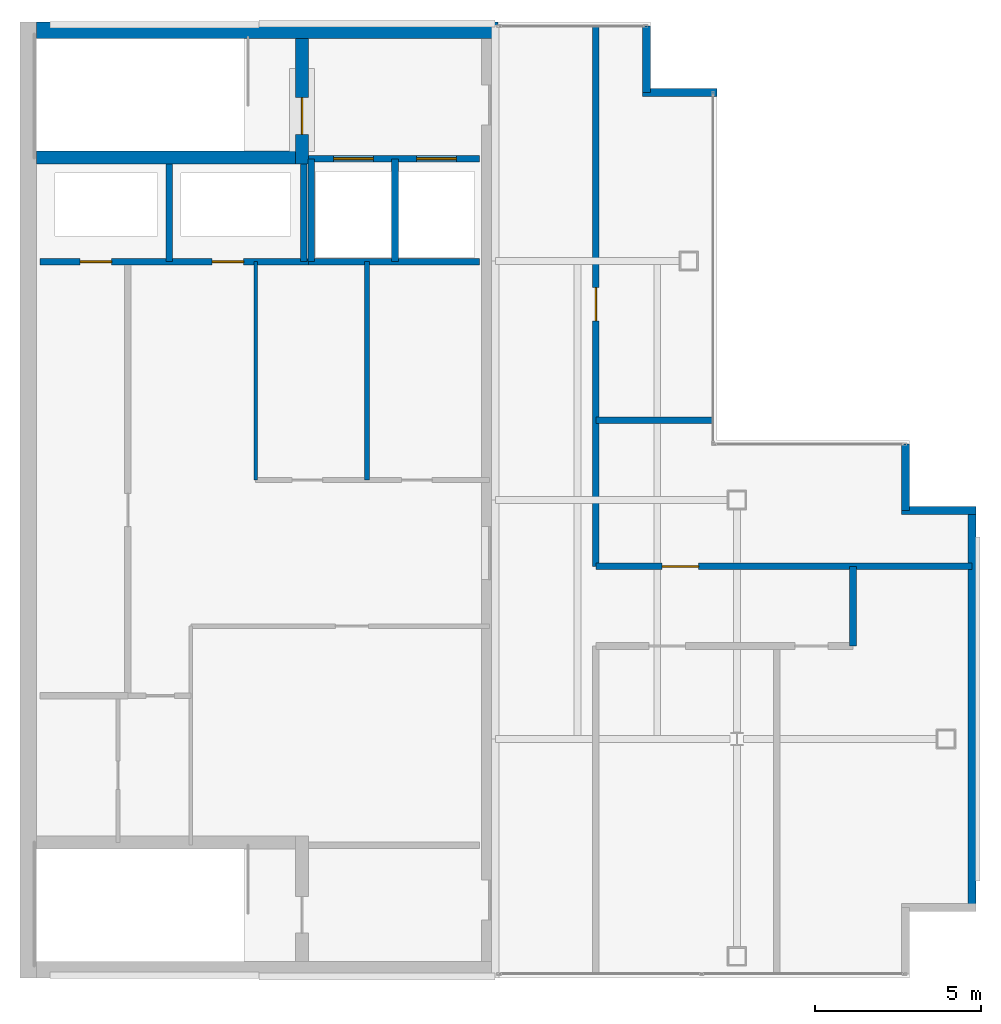
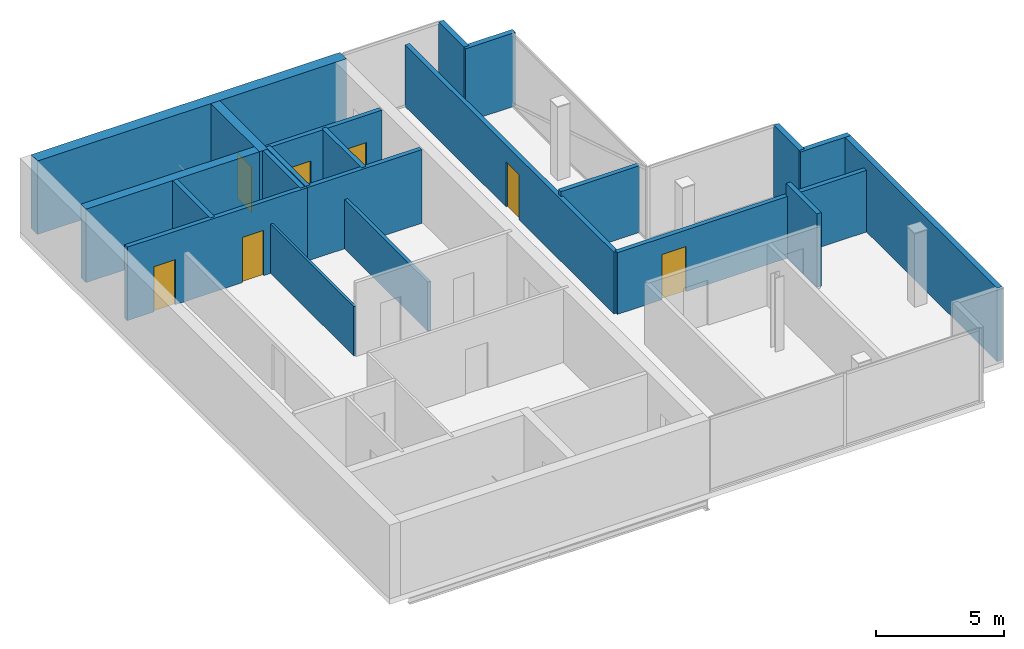
# One storey, part 14 of 15: 21 walls, 7 doors, 7 openings.
"""IFC4 building model written with IfcOpenShell, lengths in metres."""

from ifc_helpers import new_model, si_unit, direction, frame, frame_2d, origin, place, context, subcontext, project, spatial, rectangle, extrude, material, layer, layer_set, type_object, element, fill, save


model = new_model("IFC4")

# Units and contexts
model_context = context("Model", 3, precision=1e-05, world=origin(), true_north=direction((0.0, 1.0)))
body_context = subcontext(model_context, "Body", "Model", "MODEL_VIEW")
ifc_project = project(units=[si_unit("LENGTHUNIT", "METRE"), si_unit("AREAUNIT", "SQUARE_METRE"), si_unit("VOLUMEUNIT", "CUBIC_METRE"), si_unit("PLANEANGLEUNIT", "RADIAN"), si_unit("MASSUNIT", "GRAM", prefix="KILO")], contexts=[model_context])

# Site, building, storey
site_placement = place(None, origin())
site = spatial("IfcSite", under=ifc_project, at=site_placement, CompositionType="ELEMENT")
building_placement = place(site_placement, origin())
building = spatial("IfcBuilding", under=site, at=building_placement, Name="Cobrela Telecom Tower", CompositionType="ELEMENT")
storey_placement = place(building_placement, frame((0.0, 0.0, 301.35009765625)))
storey = spatial("IfcBuildingStorey", under=building, at=storey_placement, Name="L79", CompositionType="ELEMENT", Elevation=301.35009765625)

# Walls
ifc_material_1 = material(Name="Concrete C40/50", Category="concrete")
ifc_layer_1 = layer(ifc_material_1, 0.5)
ifc_layer_set_1 = layer_set([ifc_layer_1], Name="Concrete C40/50")
wall_type_1 = type_object("IfcWallType", Name="WALL-CORE-C40-500", PredefinedType="SHEAR", material=ifc_layer_set_1)
wall_1_placement = place(storey_placement, frame((0.5, 35.75, 0.0), z_axis=(0.0, 0.0, 1.0), x_axis=(1.0, 0.0, 0.0)))
element("IfcWall", 1, at=wall_1_placement, inside=storey, type_object=wall_type_1, Name="L79 North Core Shear Wall", PredefinedType="SHEAR", context=body_context, shape_type="SweptSolid", body=[
    extrude(rectangle(XDim=13.89990234375, YDim=0.5, at=frame_2d((6.949951171875, 0.0))), origin(), (0.0, 0.0, 1.0), 3.5),
])
ifc_layer_2 = layer(ifc_material_1, 0.239990234375)
ifc_layer_set_2 = layer_set([ifc_layer_2], Name="Concrete C40/50")
wall_type_2 = type_object("IfcWallType", Name="WALL-EXT-300", PredefinedType="STANDARD", material=ifc_layer_set_2)
wall_2_placement = place(storey_placement, frame((18.8798828125, 35.8798828125, 0.0), z_axis=(0.0, 0.0, 1.0), x_axis=(0.0, -1.0, 0.0)))
element("IfcWall", 2, at=wall_2_placement, inside=storey, type_object=wall_type_2, Name="L79 Insulated Facade Wall 02", PredefinedType="STANDARD", context=body_context, shape_type="SweptSolid", body=[
    extrude(rectangle(XDim=2.0, YDim=0.239990234375, at=frame_2d((1.0, 0.0))), origin(), (0.0, 0.0, 1.0), 3.5),
])
wall_3_placement = place(storey_placement, frame((18.760009765625, 33.8798828125, 0.0), z_axis=(0.0, 0.0, 1.0), x_axis=(1.0, 0.0, 0.0)))
element("IfcWall", 3, at=wall_3_placement, inside=storey, type_object=wall_type_2, Name="L79 Insulated Facade Wall 03", PredefinedType="STANDARD", context=body_context, shape_type="SweptSolid", body=[
    extrude(rectangle(XDim=2.239990234375, YDim=0.239990234375, at=frame_2d((1.1201171875, 0.0))), origin(), (0.0, 0.0, 1.0), 3.5),
])
wall_4_placement = place(storey_placement, frame((26.679931640625, 23.280029296875, 0.0), z_axis=(0.0, 0.0, 1.0), x_axis=(0.0, -1.0, 0.0)))
element("IfcWall", 4, at=wall_4_placement, inside=storey, type_object=wall_type_2, Name="L79 Insulated Facade Wall 06", PredefinedType="STANDARD", context=body_context, shape_type="SweptSolid", body=[
    extrude(rectangle(XDim=2.0, YDim=0.239990234375, at=frame_2d((1.0, 0.0))), origin(), (0.0, 0.0, 1.0), 3.5),
])
wall_5_placement = place(storey_placement, frame((26.56005859375, 21.280029296875, 0.0), z_axis=(0.0, 0.0, 1.0), x_axis=(1.0, 0.0, 0.0)))
element("IfcWall", 5, at=wall_5_placement, inside=storey, type_object=wall_type_2, Name="L79 Insulated Facade Wall 07", PredefinedType="STANDARD", context=body_context, shape_type="SweptSolid", body=[
    extrude(rectangle(XDim=2.239990234375, YDim=0.239990234375, at=frame_2d((1.1201171875, 0.0))), origin(), (0.0, 0.0, 1.0), 3.5),
])
wall_6_placement = place(storey_placement, frame((28.679931640625, 21.280029296875, 0.0), z_axis=(0.0, 0.0, 1.0), x_axis=(0.0, -1.0, 0.0)))
element("IfcWall", 6, at=wall_6_placement, inside=storey, type_object=wall_type_2, Name="L79 Insulated Facade Wall 08", PredefinedType="STANDARD", context=body_context, shape_type="SweptSolid", body=[
    extrude(rectangle(XDim=11.9599609375, YDim=0.239990234375, at=frame_2d((5.97998046875, 0.0))), origin(), (0.0, 0.0, 1.0), 3.5),
])
ifc_material_2 = material(Name="Fire-Rated Gypsum Plasterboard")
ifc_layer_3 = layer(ifc_material_2, 0.110107421875)
ifc_layer_set_3 = layer_set([ifc_layer_3], Name="Fire-Rated Gypsum Plasterboard")
wall_type_3 = type_object("IfcWallType", Name="WALL-PART-110", PredefinedType="PARTITIONING", material=ifc_layer_set_3)
wall_7_placement = place(storey_placement, frame((7.10009765625, 22.199951171875, 0.0), z_axis=(0.0, 0.0, 1.0), x_axis=(0.0, 1.0, 0.0)))
element("IfcWall", 7, at=wall_7_placement, inside=storey, type_object=wall_type_3, Name="L79 Interior Partition CW-RECL-W", PredefinedType="PARTITIONING", context=body_context, shape_type="SweptSolid", body=[
    extrude(rectangle(XDim=6.580078125, YDim=0.110107421875, at=frame_2d((3.2900390625, 0.0))), origin(), (0.0, 0.0, 1.0), 2.346923828125),
])
ifc_layer_4 = layer(ifc_material_2, 0.14990234375)
ifc_layer_set_4 = layer_set([ifc_layer_4], Name="Fire-Rated Gypsum Plasterboard")
wall_type_4 = type_object("IfcWallType", Name="WALL-PART-150", PredefinedType="PARTITIONING", material=ifc_layer_set_4)
wall_8_placement = place(storey_placement, frame((10.449951171875, 22.199951171875, 0.0), z_axis=(0.0, 0.0, 1.0), x_axis=(0.0, 1.0, 0.0)))
element("IfcWall", 8, at=wall_8_placement, inside=storey, type_object=wall_type_4, Name="L79 Interior Partition CW-RECL-V", PredefinedType="PARTITIONING", context=body_context, shape_type="SweptSolid", body=[
    extrude(rectangle(XDim=6.580078125, YDim=0.14990234375, at=frame_2d((3.2900390625, 0.0))), origin(), (0.0, 0.0, 1.0), 2.346923828125),
])

# Wall, openings, doors
ifc_layer_5 = layer(ifc_material_2, 0.199951171875)
ifc_layer_set_5 = layer_set([ifc_layer_5], Name="Fire-Rated Gypsum Plasterboard")
wall_type_5 = type_object("IfcWallType", Name="WALL-SHAFT-200", PredefinedType="PARTITIONING", material=ifc_layer_set_5)
wall_9_placement = place(storey_placement, frame((8.699951171875, 31.8798828125, 0.0), z_axis=(0.0, 0.0, 1.0), x_axis=(1.0, 0.0, 0.0)))
wall_9 = element("IfcWall", 9, at=wall_9_placement, inside=storey, type_object=wall_type_5, Name="L79 Shaft Enclosure CW-FFL-S", PredefinedType="PARTITIONING", context=body_context, shape_type="SweptSolid", body=[
    extrude(rectangle(XDim=5.150146484375, YDim=0.199951171875, at=frame_2d((2.5751953125, 0.0))), origin(), (0.0, 0.0, 1.0), 3.5),
])
opening_1_placement = place(wall_9_placement, frame((0.75, 0.0, 0.0)))
opening_1 = element("IfcOpeningElement", 10, at=opening_1_placement, cuts=wall_9, Name="Opening LD-2", PredefinedType="OPENING", context=body_context, shape_type="SweptSolid", body=[
    extrude(rectangle(XDim=1.199951171875, YDim=2.199951171875, at=frame_2d((0.60009765625, 1.10009765625))), frame((0.0, 0.11181640625, 0.0), z_axis=(0.0, -1.0, 0.0), x_axis=(1.0, 0.0, 0.0)), (0.0, 0.0, 1.0), 0.223876953125),
])
opening_2_placement = place(wall_9_placement, frame((3.25, 0.0, 0.0)))
opening_2 = element("IfcOpeningElement", 11, at=opening_2_placement, cuts=wall_9, Name="Opening LD-2", PredefinedType="OPENING", context=body_context, shape_type="SweptSolid", body=[
    extrude(rectangle(XDim=1.199951171875, YDim=2.199951171875, at=frame_2d((0.60009765625, 1.10009765625))), frame((0.0, 0.11181640625, 0.0), z_axis=(0.0, -1.0, 0.0), x_axis=(1.0, 0.0, 0.0)), (0.0, 0.0, 1.0), 0.223876953125),
])
ifc_material_3 = material(Name="Steel ASTM A36", Category="steel")
door_type_1 = type_object("IfcDoorType", Name="DOOR-LD-FFL", OperationType="SINGLE_SWING_LEFT", PredefinedType="DOOR", material=ifc_material_3)
door_1_placement = place(opening_1_placement, origin())
door_1 = element("IfcDoor", 12, at=door_1_placement, inside=storey, type_object=door_type_1, Name="L79 Lift Landing Door LD-2", OperationType="DOUBLE_DOOR_SLIDING", OverallHeight=2.199951171875, OverallWidth=1.199951171875, PredefinedType="DOOR", context=body_context, shape_type="SweptSolid", body=[
    extrude(rectangle(XDim=1.199951171875, YDim=2.199951171875, at=frame_2d((0.60009765625, 1.10009765625))), frame((0.0, 0.02490234375, 0.0), z_axis=(0.0, -1.0, 0.0), x_axis=(1.0, 0.0, 0.0)), (0.0, 0.0, 1.0), 0.050048828125),
])
fill(opening_1, door_1)
door_2_placement = place(opening_2_placement, origin())
door_2 = element("IfcDoor", 13, at=door_2_placement, inside=storey, type_object=door_type_1, Name="L79 Lift Landing Door LD-2", OperationType="DOUBLE_DOOR_SLIDING", OverallHeight=2.199951171875, OverallWidth=1.199951171875, PredefinedType="DOOR", context=body_context, shape_type="SweptSolid", body=[
    extrude(rectangle(XDim=1.199951171875, YDim=2.199951171875, at=frame_2d((0.60009765625, 1.10009765625))), frame((0.0, 0.02490234375, 0.0), z_axis=(0.0, -1.0, 0.0), x_axis=(1.0, 0.0, 0.0)), (0.0, 0.0, 1.0), 0.050048828125),
])
fill(opening_2, door_2)

# Walls
wall_10_placement = place(storey_placement, frame((8.699951171875, 28.780029296875, 0.0), z_axis=(0.0, 0.0, 1.0), x_axis=(1.0, 0.0, 0.0)))
element("IfcWall", 14, at=wall_10_placement, inside=storey, type_object=wall_type_5, Name="L79 Shaft Enclosure CW-FFL-S2", PredefinedType="PARTITIONING", context=body_context, shape_type="SweptSolid", body=[
    extrude(rectangle(XDim=5.150146484375, YDim=0.199951171875, at=frame_2d((2.5751953125, 0.0))), origin(), (0.0, 0.0, 1.0), 3.5),
])
for number, where, z_axis, x_axis, name in (
    (15, (8.780029296875, 28.780029296875, 0.0), (0.0, 0.0, 1.0), (0.0, 1.0, 0.0), "L79 Shaft Enclosure CW-FFL-W"),
    (16, (11.300048828125, 28.780029296875, 0.0), (0.0, 0.0, 1.0), (0.0, 1.0, 0.0), "L79 Shaft Enclosure CW-FFL-M"),
):
    element("IfcWall", number, at=place(storey_placement, frame(where, z_axis=z_axis, x_axis=x_axis)), inside=storey, type_object=wall_type_5, Name=name, PredefinedType="PARTITIONING", context=body_context, shape_type="SweptSolid", body=[
        extrude(rectangle(XDim=3.099853515625, YDim=0.199951171875, at=frame_2d((1.5498046875, 0.0))), origin(), (0.0, 0.0, 1.0), 3.5),
    ])

# Wall, openings, doors
wall_11_placement = place(storey_placement, frame((0.60009765625, 28.780029296875, 0.0), z_axis=(0.0, 0.0, 1.0), x_axis=(1.0, 0.0, 0.0)))
wall_11 = element("IfcWall", 17, at=wall_11_placement, inside=storey, type_object=wall_type_5, Name="L79 Shaft Enclosure CW-RIS-S", PredefinedType="PARTITIONING", context=body_context, shape_type="SweptSolid", body=[
    extrude(rectangle(XDim=8.179931640625, YDim=0.199951171875, at=frame_2d((4.08984375, 0.0))), origin(), (0.0, 0.0, 1.0), 3.5),
])
opening_3_placement = place(wall_11_placement, frame((1.2099609375, 0.0, 0.0)))
opening_3 = element("IfcOpeningElement", 18, at=opening_3_placement, cuts=wall_11, Name="Opening DR-65", PredefinedType="OPENING", context=body_context, shape_type="SweptSolid", body=[
    extrude(rectangle(XDim=0.949951171875, YDim=2.14990234375, at=frame_2d((0.47509765625, 1.074951171875))), frame((0.0, 0.11181640625, 0.0), z_axis=(0.0, -1.0, 0.0), x_axis=(1.0, 0.0, 0.0)), (0.0, 0.0, 1.0), 0.223876953125),
])
opening_4_placement = place(wall_11_placement, frame((5.18994140625, 0.0, 0.0)))
opening_4 = element("IfcOpeningElement", 19, at=opening_4_placement, cuts=wall_11, Name="Opening DR-65", PredefinedType="OPENING", context=body_context, shape_type="SweptSolid", body=[
    extrude(rectangle(XDim=0.949951171875, YDim=2.14990234375, at=frame_2d((0.47509765625, 1.074951171875))), frame((0.0, 0.11181640625, 0.0), z_axis=(0.0, -1.0, 0.0), x_axis=(1.0, 0.0, 0.0)), (0.0, 0.0, 1.0), 0.223876953125),
])
door_type_2 = type_object("IfcDoorType", Name="DOOR-FD60-950", OperationType="SINGLE_SWING_LEFT", PredefinedType="DOOR", material=ifc_material_3)
door_3_placement = place(opening_3_placement, origin())
door_3 = element("IfcDoor", 20, at=door_3_placement, inside=storey, type_object=door_type_2, Name="L79 Door DR-65", OperationType="SINGLE_SWING_LEFT", OverallHeight=2.14990234375, OverallWidth=0.949951171875, PredefinedType="DOOR", context=body_context, shape_type="SweptSolid", body=[
    extrude(rectangle(XDim=0.949951171875, YDim=2.14990234375, at=frame_2d((0.47509765625, 1.074951171875))), frame((0.0, 0.02490234375, 0.0), z_axis=(0.0, -1.0, 0.0), x_axis=(1.0, 0.0, 0.0)), (0.0, 0.0, 1.0), 0.050048828125),
])
fill(opening_3, door_3)
door_4_placement = place(opening_4_placement, origin())
door_4 = element("IfcDoor", 21, at=door_4_placement, inside=storey, type_object=door_type_2, Name="L79 Door DR-65", OperationType="SINGLE_SWING_RIGHT", OverallHeight=2.14990234375, OverallWidth=0.949951171875, PredefinedType="DOOR", context=body_context, shape_type="SweptSolid", body=[
    extrude(rectangle(XDim=0.949951171875, YDim=2.14990234375, at=frame_2d((0.47509765625, 1.074951171875))), frame((0.0, 0.02490234375, 0.0), z_axis=(0.0, -1.0, 0.0), x_axis=(1.0, 0.0, 0.0)), (0.0, 0.0, 1.0), 0.050048828125),
])
fill(opening_4, door_4)

# Walls
for number, where, z_axis, x_axis, name in (
    (22, (4.5, 28.780029296875, 0.0), (0.0, 0.0, 1.0), (0.0, 1.0, 0.0), "L79 Shaft Enclosure CW-RIS-M"),
    (23, (8.550048828125, 28.780029296875, 0.0), (0.0, 0.0, 1.0), (0.0, 1.0, 0.0), "L79 Shaft Enclosure CW-RIS-E"),
):
    element("IfcWall", number, at=place(storey_placement, frame(where, z_axis=z_axis, x_axis=x_axis)), inside=storey, type_object=wall_type_5, Name=name, PredefinedType="PARTITIONING", context=body_context, shape_type="SweptSolid", body=[
        extrude(rectangle(XDim=2.93994140625, YDim=0.199951171875, at=frame_2d((1.469970703125, 0.0))), origin(), (0.0, 0.0, 1.0), 3.5),
    ])

# Wall, opening, door
wall_12_placement = place(storey_placement, frame((17.35009765625, 19.60009765625, 0.0), z_axis=(0.0, 0.0, 1.0), x_axis=(0.0, 1.0, 0.0)))
wall_12 = element("IfcWall", 24, at=wall_12_placement, inside=storey, type_object=wall_type_5, Name="L79 Shaft Enclosure W-DR-E2", PredefinedType="PARTITIONING", context=body_context, shape_type="SweptSolid", body=[
    extrude(rectangle(XDim=16.27978515625, YDim=0.199951171875, at=frame_2d((8.139892578125, 0.0))), origin(), (0.0, 0.0, 1.0), 2.935791015625),
])
opening_5_placement = place(wall_12_placement, frame((7.39990234375, 0.0, 0.0)))
opening_5 = element("IfcOpeningElement", 25, at=opening_5_placement, cuts=wall_12, Name="Opening DR-15", PredefinedType="OPENING", context=body_context, shape_type="SweptSolid", body=[
    extrude(rectangle(XDim=1.0, YDim=2.14990234375, at=frame_2d((0.5, 1.074951171875))), frame((0.0, 0.11181640625, 0.0), z_axis=(0.0, -1.0, 0.0), x_axis=(1.0, 0.0, 0.0)), (0.0, 0.0, 1.0), 0.223876953125),
])
door_type_3 = type_object("IfcDoorType", Name="DOOR-FD60-1000", OperationType="SINGLE_SWING_LEFT", PredefinedType="DOOR", material=ifc_material_3)
door_5_placement = place(opening_5_placement, origin())
door_5 = element("IfcDoor", 26, at=door_5_placement, inside=storey, type_object=door_type_3, Name="L79 Door DR-15", OperationType="SINGLE_SWING_RIGHT", OverallHeight=2.14990234375, OverallWidth=1.0, PredefinedType="DOOR", context=body_context, shape_type="SweptSolid", body=[
    extrude(rectangle(XDim=1.0, YDim=2.14990234375, at=frame_2d((0.5, 1.074951171875))), frame((0.0, 0.02490234375, 0.0), z_axis=(0.0, -1.0, 0.0), x_axis=(1.0, 0.0, 0.0)), (0.0, 0.0, 1.0), 0.050048828125),
])
fill(opening_5, door_5)

wall_13_placement = place(storey_placement, frame((17.35009765625, 19.60009765625, 0.0), z_axis=(0.0, 0.0, 1.0), x_axis=(1.0, 0.0, 0.0)))
wall_13 = element("IfcWall", 27, at=wall_13_placement, inside=storey, type_object=wall_type_5, Name="L79 Shaft Enclosure W-DR-HN", PredefinedType="PARTITIONING", context=body_context, shape_type="SweptSolid", body=[
    extrude(rectangle(XDim=11.329833984375, YDim=0.199951171875, at=frame_2d((5.6650390625, 0.0))), origin(), (0.0, 0.0, 1.0), 2.935791015625),
])
opening_6_placement = place(wall_13_placement, frame((2.0, 0.0, 0.0)))
opening_6 = element("IfcOpeningElement", 28, at=opening_6_placement, cuts=wall_13, Name="Opening DR-59", PredefinedType="OPENING", context=body_context, shape_type="SweptSolid", body=[
    extrude(rectangle(XDim=1.10009765625, YDim=2.14990234375, at=frame_2d((0.550048828125, 1.074951171875))), frame((0.0, 0.11181640625, 0.0), z_axis=(0.0, -1.0, 0.0), x_axis=(1.0, 0.0, 0.0)), (0.0, 0.0, 1.0), 0.223876953125),
])
door_type_4 = type_object("IfcDoorType", Name="DOOR-FD60-1100", OperationType="SINGLE_SWING_LEFT", PredefinedType="DOOR", material=ifc_material_3)
door_6_placement = place(opening_6_placement, origin())
door_6 = element("IfcDoor", 29, at=door_6_placement, inside=storey, type_object=door_type_4, Name="L79 Door DR-59", OperationType="SINGLE_SWING_LEFT", OverallHeight=2.14990234375, OverallWidth=1.10009765625, PredefinedType="DOOR", context=body_context, shape_type="SweptSolid", body=[
    extrude(rectangle(XDim=1.10009765625, YDim=2.14990234375, at=frame_2d((0.550048828125, 1.074951171875))), frame((0.0, 0.02490234375, 0.0), z_axis=(0.0, -1.0, 0.0), x_axis=(1.0, 0.0, 0.0)), (0.0, 0.0, 1.0), 0.050048828125),
])
fill(opening_6, door_6)

# Walls
wall_14_placement = place(storey_placement, frame((17.35009765625, 24.0, 0.0), z_axis=(0.0, 0.0, 1.0), x_axis=(1.0, 0.0, 0.0)))
element("IfcWall", 30, at=wall_14_placement, inside=storey, type_object=wall_type_5, Name="L79 Shaft Enclosure W-DR-NH", PredefinedType="PARTITIONING", context=body_context, shape_type="SweptSolid", body=[
    extrude(rectangle(XDim=3.52978515625, YDim=0.199951171875, at=frame_2d((1.764892578125, 0.0))), origin(), (0.0, 0.0, 1.0), 3.1748046875),
])
wall_15_placement = place(storey_placement, frame((25.10009765625, 17.199951171875, 0.0), z_axis=(0.0, 0.0, 1.0), x_axis=(0.0, 1.0, 0.0)))
element("IfcWall", 31, at=wall_15_placement, inside=storey, type_object=wall_type_5, Name="L79 Shaft Enclosure W-DR-END", PredefinedType="PARTITIONING", context=body_context, shape_type="SweptSolid", body=[
    extrude(rectangle(XDim=2.400146484375, YDim=0.199951171875, at=frame_2d((1.2001953125, 0.0))), origin(), (0.0, 0.0, 1.0), 3.5),
])
ifc_layer_6 = layer(ifc_material_1, 0.39990234375)
ifc_layer_set_6 = layer_set([ifc_layer_6], Name="Concrete C40/50")
wall_type_6 = type_object("IfcWallType", Name="WALL-SHAFT-C40-400", PredefinedType="SHEAR", material=ifc_layer_set_6)
wall_16_placement = place(storey_placement, frame((0.5, 31.919921875, 0.0), z_axis=(0.0, 0.0, 1.0), x_axis=(1.0, 0.0, 0.0)))
element("IfcWall", 32, at=wall_16_placement, inside=storey, type_object=wall_type_6, Name="L79 North Stair Shear Wall", PredefinedType="SHEAR", context=body_context, shape_type="SweptSolid", body=[
    extrude(rectangle(XDim=7.800048828125, YDim=0.39990234375, at=frame_2d((3.89990234375, 0.0))), origin(), (0.0, 0.0, 1.0), 3.5),
])

# Wall, opening, door
wall_17_placement = place(storey_placement, frame((8.5, 31.719970703125, 0.0), z_axis=(0.0, 0.0, 1.0), x_axis=(0.0, 1.0, 0.0)))
wall_17 = element("IfcWall", 33, at=wall_17_placement, inside=storey, type_object=wall_type_6, Name="L79 North Stair Lobby Shear Wall", PredefinedType="SHEAR", context=body_context, shape_type="SweptSolid", body=[
    extrude(rectangle(XDim=3.780029296875, YDim=0.39990234375, at=frame_2d((1.89013671875, 0.0))), origin(), (0.0, 0.0, 1.0), 3.5),
])
opening_7_placement = place(wall_17_placement, frame((0.89990234375, 0.0, 0.0)))
opening_7 = element("IfcOpeningElement", 34, at=opening_7_placement, cuts=wall_17, Name="Opening DR-59", PredefinedType="OPENING", context=body_context, shape_type="SweptSolid", body=[
    extrude(rectangle(XDim=1.10009765625, YDim=2.14990234375, at=frame_2d((0.550048828125, 1.074951171875))), frame((0.0, 0.2119140625, 0.0), z_axis=(0.0, -1.0, 0.0), x_axis=(1.0, 0.0, 0.0)), (0.0, 0.0, 1.0), 0.423828125),
])
door_7_placement = place(opening_7_placement, origin())
door_7 = element("IfcDoor", 35, at=door_7_placement, inside=storey, type_object=door_type_4, Name="L79 Door DR-59", OperationType="SINGLE_SWING_RIGHT", OverallHeight=2.14990234375, OverallWidth=1.10009765625, PredefinedType="DOOR", context=body_context, shape_type="SweptSolid", body=[
    extrude(rectangle(XDim=1.10009765625, YDim=2.14990234375, at=frame_2d((0.550048828125, 1.074951171875))), frame((0.0, 0.02490234375, 0.0), z_axis=(0.0, -1.0, 0.0), x_axis=(1.0, 0.0, 0.0)), (0.0, 0.0, 1.0), 0.050048828125),
])
fill(opening_7, door_7)

save(model, "model.ifc")
